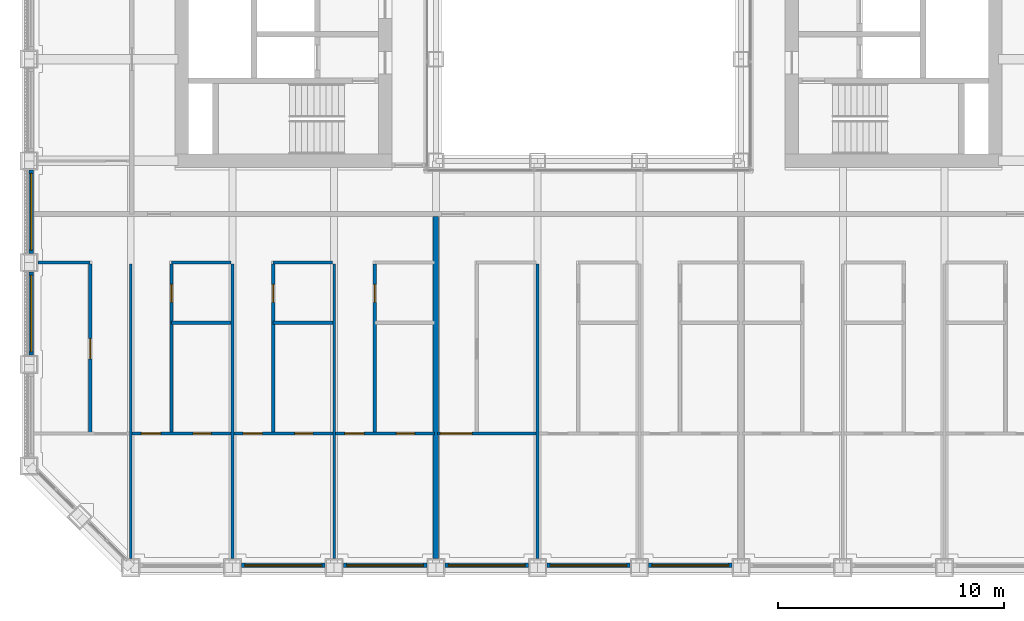
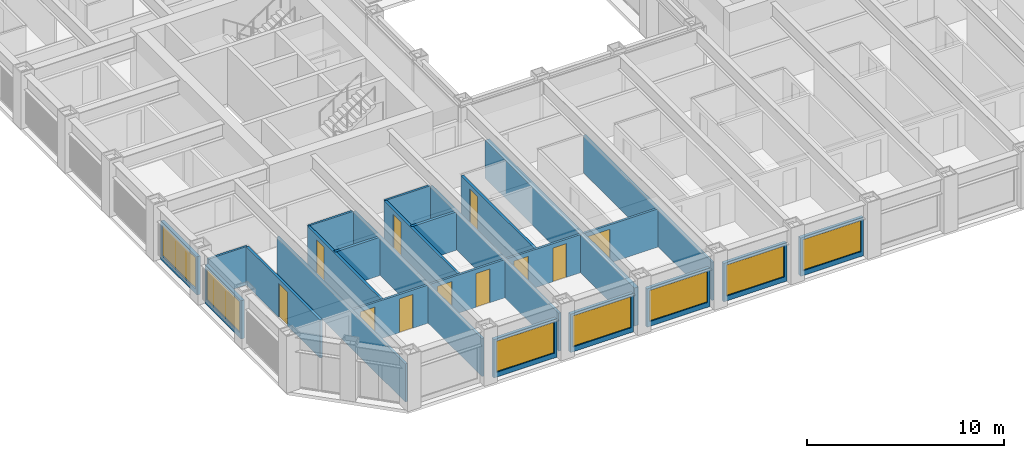
# One storey, part 9 of 21: 25 walls, 11 doors, 7 windows, 18 openings.
"""IFC4 building model written with IfcOpenShell, lengths in metres."""

from ifc_helpers import new_model, si_unit, direction, frame, frame_2d, origin, place, context, subcontext, project, spatial, rectangle, extrude, material, layer, layer_set, type_object, element, fill, save


model = new_model("IFC4")

# Units and contexts
model_context = context("Model", 3, precision=1e-05, world=origin(), true_north=direction((0.0, 1.0)))
body_context = subcontext(model_context, "Body", "Model", "MODEL_VIEW")
ifc_project = project(units=[si_unit("LENGTHUNIT", "METRE"), si_unit("AREAUNIT", "SQUARE_METRE"), si_unit("VOLUMEUNIT", "CUBIC_METRE"), si_unit("PLANEANGLEUNIT", "RADIAN"), si_unit("MASSUNIT", "GRAM", prefix="KILO")], contexts=[model_context])

# Site, building, storey
site_placement = place(None, origin())
site = spatial("IfcSite", under=ifc_project, at=site_placement, CompositionType="ELEMENT")
building_placement = place(site_placement, origin())
building = spatial("IfcBuilding", under=site, at=building_placement, Name="Msasa Ring Tower", CompositionType="ELEMENT")
storey_placement = place(building_placement, frame((0.0, 0.0, 89.5)))
storey = spatial("IfcBuildingStorey", under=building, at=storey_placement, Name="L23", CompositionType="ELEMENT", Elevation=89.5)

# Wall, opening, window
ifc_material_1 = material(Name="Terracotta rainscreen on blockwork", Category="masonry")
ifc_layer_1 = layer(ifc_material_1, 0.199951171875)
ifc_layer_set_1 = layer_set([ifc_layer_1], Name="FW1 TERRACOTTA-LINED INFILL BAY WALL 200")
wall_type_1 = type_object("IfcWallType", Name="FW1 TERRACOTTA-LINED INFILL BAY WALL 200", PredefinedType="SOLIDWALL", material=ifc_layer_set_1)
wall_1_placement = place(storey_placement, frame((-15.344970703125, -24.64990234375, 0.0), z_axis=(0.0, 0.0, 1.0), x_axis=(1.0, 0.0, 0.0)))
wall_1 = element("IfcWall", 1, at=wall_1_placement, inside=storey, type_object=wall_type_1, Name="Infill bay wall S L23 01", PredefinedType="SOLIDWALL", context=body_context, shape_type="SweptSolid", body=[
    extrude(rectangle(XDim=3.68994140625, YDim=0.199951171875, at=frame_2d((1.844970703125, 0.0))), origin(), (0.0, 0.0, 1.0), 2.37890625),
])
opening_1_placement = place(wall_1_placement, frame((0.14501953125, 0.0, 0.300048828125)))
opening_1 = element("IfcOpeningElement", 2, at=opening_1_placement, cuts=wall_1, Name="Opening WN1", PredefinedType="OPENING", context=body_context, shape_type="SweptSolid", body=[
    extrude(rectangle(XDim=3.39990234375, YDim=1.928955078125, at=frame_2d((1.699951171875, 0.96435546875))), frame((0.0, 0.10986328125, 0.0), z_axis=(0.0, -1.0, 0.0), x_axis=(1.0, 0.0, 0.0)), (0.0, 0.0, 1.0), 0.219970703125),
])
ifc_material_2 = material(Name="Aluminium frame with clear glass", Category="aluminium")
window_type = type_object("IfcWindowType", Name="WN1 RESIDENCE WINDOW 3400x1929", PartitioningType="SINGLE_PANEL", PredefinedType="WINDOW", material=ifc_material_2)
window_1_placement = place(opening_1_placement, origin())
window_1 = element("IfcWindow", 3, at=window_1_placement, inside=storey, type_object=window_type, Name="Window S L23 01", OverallHeight=1.928955078125, OverallWidth=3.39990234375, PartitioningType="SINGLE_PANEL", PredefinedType="WINDOW", context=body_context, shape_type="SweptSolid", body=[
    extrude(rectangle(XDim=3.39990234375, YDim=1.928955078125, at=frame_2d((1.699951171875, 0.96435546875))), frame((0.0, 0.030029296875, 0.0), z_axis=(0.0, -1.0, 0.0), x_axis=(1.0, 0.0, 0.0)), (0.0, 0.0, 1.0), 0.06005859375),
])
fill(opening_1, window_1)

wall_2_placement = place(storey_placement, frame((-10.844970703125, -24.64990234375, 0.0), z_axis=(0.0, 0.0, 1.0), x_axis=(1.0, 0.0, 0.0)))
wall_2 = element("IfcWall", 4, at=wall_2_placement, inside=storey, type_object=wall_type_1, Name="Infill bay wall S L23 02", PredefinedType="SOLIDWALL", context=body_context, shape_type="SweptSolid", body=[
    extrude(rectangle(XDim=3.68994140625, YDim=0.199951171875, at=frame_2d((1.844970703125, 0.0))), origin(), (0.0, 0.0, 1.0), 2.37890625),
])
opening_2_placement = place(wall_2_placement, frame((0.14501953125, 0.0, 0.300048828125)))
opening_2 = element("IfcOpeningElement", 5, at=opening_2_placement, cuts=wall_2, Name="Opening WN1", PredefinedType="OPENING", context=body_context, shape_type="SweptSolid", body=[
    extrude(rectangle(XDim=3.39990234375, YDim=1.928955078125, at=frame_2d((1.699951171875, 0.96435546875))), frame((0.0, 0.10986328125, 0.0), z_axis=(0.0, -1.0, 0.0), x_axis=(1.0, 0.0, 0.0)), (0.0, 0.0, 1.0), 0.219970703125),
])
window_2_placement = place(opening_2_placement, origin())
window_2 = element("IfcWindow", 6, at=window_2_placement, inside=storey, type_object=window_type, Name="Window S L23 02", OverallHeight=1.928955078125, OverallWidth=3.39990234375, PartitioningType="SINGLE_PANEL", PredefinedType="WINDOW", context=body_context, shape_type="SweptSolid", body=[
    extrude(rectangle(XDim=3.39990234375, YDim=1.928955078125, at=frame_2d((1.699951171875, 0.96435546875))), frame((0.0, 0.030029296875, 0.0), z_axis=(0.0, -1.0, 0.0), x_axis=(1.0, 0.0, 0.0)), (0.0, 0.0, 1.0), 0.06005859375),
])
fill(opening_2, window_2)

wall_3_placement = place(storey_placement, frame((-6.344970703125, -24.64990234375, 0.0), z_axis=(0.0, 0.0, 1.0), x_axis=(1.0, 0.0, 0.0)))
wall_3 = element("IfcWall", 7, at=wall_3_placement, inside=storey, type_object=wall_type_1, Name="Infill bay wall S L23 03", PredefinedType="SOLIDWALL", context=body_context, shape_type="SweptSolid", body=[
    extrude(rectangle(XDim=3.68994140625, YDim=0.199951171875, at=frame_2d((1.844970703125, 0.0))), origin(), (0.0, 0.0, 1.0), 2.37890625),
])
opening_3_placement = place(wall_3_placement, frame((0.14501953125, 0.0, 0.300048828125)))
opening_3 = element("IfcOpeningElement", 8, at=opening_3_placement, cuts=wall_3, Name="Opening WN1", PredefinedType="OPENING", context=body_context, shape_type="SweptSolid", body=[
    extrude(rectangle(XDim=3.39990234375, YDim=1.928955078125, at=frame_2d((1.699951171875, 0.96435546875))), frame((0.0, 0.10986328125, 0.0), z_axis=(0.0, -1.0, 0.0), x_axis=(1.0, 0.0, 0.0)), (0.0, 0.0, 1.0), 0.219970703125),
])
window_3_placement = place(opening_3_placement, origin())
window_3 = element("IfcWindow", 9, at=window_3_placement, inside=storey, type_object=window_type, Name="Window S L23 03", OverallHeight=1.928955078125, OverallWidth=3.39990234375, PartitioningType="SINGLE_PANEL", PredefinedType="WINDOW", context=body_context, shape_type="SweptSolid", body=[
    extrude(rectangle(XDim=3.39990234375, YDim=1.928955078125, at=frame_2d((1.699951171875, 0.96435546875))), frame((0.0, 0.030029296875, 0.0), z_axis=(0.0, -1.0, 0.0), x_axis=(1.0, 0.0, 0.0)), (0.0, 0.0, 1.0), 0.06005859375),
])
fill(opening_3, window_3)

wall_4_placement = place(storey_placement, frame((-1.844970703125, -24.64990234375, 0.0), z_axis=(0.0, 0.0, 1.0), x_axis=(1.0, 0.0, 0.0)))
wall_4 = element("IfcWall", 10, at=wall_4_placement, inside=storey, type_object=wall_type_1, Name="Infill bay wall S L23 04", PredefinedType="SOLIDWALL", context=body_context, shape_type="SweptSolid", body=[
    extrude(rectangle(XDim=3.68994140625, YDim=0.199951171875, at=frame_2d((1.844970703125, 0.0))), origin(), (0.0, 0.0, 1.0), 2.37890625),
])
opening_4_placement = place(wall_4_placement, frame((0.14501953125, 0.0, 0.300048828125)))
opening_4 = element("IfcOpeningElement", 11, at=opening_4_placement, cuts=wall_4, Name="Opening WN1", PredefinedType="OPENING", context=body_context, shape_type="SweptSolid", body=[
    extrude(rectangle(XDim=3.39990234375, YDim=1.928955078125, at=frame_2d((1.699951171875, 0.96435546875))), frame((0.0, 0.10986328125, 0.0), z_axis=(0.0, -1.0, 0.0), x_axis=(1.0, 0.0, 0.0)), (0.0, 0.0, 1.0), 0.219970703125),
])
window_4_placement = place(opening_4_placement, origin())
window_4 = element("IfcWindow", 12, at=window_4_placement, inside=storey, type_object=window_type, Name="Window S L23 04", OverallHeight=1.928955078125, OverallWidth=3.39990234375, PartitioningType="SINGLE_PANEL", PredefinedType="WINDOW", context=body_context, shape_type="SweptSolid", body=[
    extrude(rectangle(XDim=3.39990234375, YDim=1.928955078125, at=frame_2d((1.699951171875, 0.96435546875))), frame((0.0, 0.030029296875, 0.0), z_axis=(0.0, -1.0, 0.0), x_axis=(1.0, 0.0, 0.0)), (0.0, 0.0, 1.0), 0.06005859375),
])
fill(opening_4, window_4)

wall_5_placement = place(storey_placement, frame((2.655029296875, -24.64990234375, 0.0), z_axis=(0.0, 0.0, 1.0), x_axis=(1.0, 0.0, 0.0)))
wall_5 = element("IfcWall", 13, at=wall_5_placement, inside=storey, type_object=wall_type_1, Name="Infill bay wall S L23 05", PredefinedType="SOLIDWALL", context=body_context, shape_type="SweptSolid", body=[
    extrude(rectangle(XDim=3.68994140625, YDim=0.199951171875, at=frame_2d((1.844970703125, 0.0))), origin(), (0.0, 0.0, 1.0), 2.37890625),
])
opening_5_placement = place(wall_5_placement, frame((0.14501953125, 0.0, 0.300048828125)))
opening_5 = element("IfcOpeningElement", 14, at=opening_5_placement, cuts=wall_5, Name="Opening WN1", PredefinedType="OPENING", context=body_context, shape_type="SweptSolid", body=[
    extrude(rectangle(XDim=3.39990234375, YDim=1.928955078125, at=frame_2d((1.699951171875, 0.96435546875))), frame((0.0, 0.10986328125, 0.0), z_axis=(0.0, -1.0, 0.0), x_axis=(1.0, 0.0, 0.0)), (0.0, 0.0, 1.0), 0.219970703125),
])
window_5_placement = place(opening_5_placement, origin())
window_5 = element("IfcWindow", 15, at=window_5_placement, inside=storey, type_object=window_type, Name="Window S L23 05", OverallHeight=1.928955078125, OverallWidth=3.39990234375, PartitioningType="SINGLE_PANEL", PredefinedType="WINDOW", context=body_context, shape_type="SweptSolid", body=[
    extrude(rectangle(XDim=3.39990234375, YDim=1.928955078125, at=frame_2d((1.699951171875, 0.96435546875))), frame((0.0, 0.030029296875, 0.0), z_axis=(0.0, -1.0, 0.0), x_axis=(1.0, 0.0, 0.0)), (0.0, 0.0, 1.0), 0.06005859375),
])
fill(opening_5, window_5)

wall_6_placement = place(storey_placement, frame((-24.64990234375, -15.344970703125, 0.0), z_axis=(0.0, 0.0, 1.0), x_axis=(0.0, 1.0, 0.0)))
wall_6 = element("IfcWall", 16, at=wall_6_placement, inside=storey, type_object=wall_type_1, Name="Infill bay wall W L23 34", PredefinedType="SOLIDWALL", context=body_context, shape_type="SweptSolid", body=[
    extrude(rectangle(XDim=3.68994140625, YDim=0.199951171875, at=frame_2d((1.844970703125, 0.0))), origin(), (0.0, 0.0, 1.0), 2.37890625),
])
opening_6_placement = place(wall_6_placement, frame((0.14501953125, 0.0, 0.300048828125)))
opening_6 = element("IfcOpeningElement", 17, at=opening_6_placement, cuts=wall_6, Name="Opening WN1", PredefinedType="OPENING", context=body_context, shape_type="SweptSolid", body=[
    extrude(rectangle(XDim=3.39990234375, YDim=1.928955078125, at=frame_2d((1.699951171875, 0.96435546875))), frame((0.0, 0.10986328125, 0.0), z_axis=(0.0, -1.0, 0.0), x_axis=(1.0, 0.0, 0.0)), (0.0, 0.0, 1.0), 0.219970703125),
])
window_6_placement = place(opening_6_placement, origin())
window_6 = element("IfcWindow", 18, at=window_6_placement, inside=storey, type_object=window_type, Name="Window W L23 34", OverallHeight=1.928955078125, OverallWidth=3.39990234375, PartitioningType="SINGLE_PANEL", PredefinedType="WINDOW", context=body_context, shape_type="SweptSolid", body=[
    extrude(rectangle(XDim=3.39990234375, YDim=1.928955078125, at=frame_2d((1.699951171875, 0.96435546875))), frame((0.0, 0.030029296875, 0.0), z_axis=(0.0, -1.0, 0.0), x_axis=(1.0, 0.0, 0.0)), (0.0, 0.0, 1.0), 0.06005859375),
])
fill(opening_6, window_6)

wall_7_placement = place(storey_placement, frame((-24.64990234375, -10.844970703125, 0.0), z_axis=(0.0, 0.0, 1.0), x_axis=(0.0, 1.0, 0.0)))
wall_7 = element("IfcWall", 19, at=wall_7_placement, inside=storey, type_object=wall_type_1, Name="Infill bay wall W L23 35", PredefinedType="SOLIDWALL", context=body_context, shape_type="SweptSolid", body=[
    extrude(rectangle(XDim=3.68994140625, YDim=0.199951171875, at=frame_2d((1.844970703125, 0.0))), origin(), (0.0, 0.0, 1.0), 2.37890625),
])
opening_7_placement = place(wall_7_placement, frame((0.14501953125, 0.0, 0.300048828125)))
opening_7 = element("IfcOpeningElement", 20, at=opening_7_placement, cuts=wall_7, Name="Opening WN1", PredefinedType="OPENING", context=body_context, shape_type="SweptSolid", body=[
    extrude(rectangle(XDim=3.39990234375, YDim=1.928955078125, at=frame_2d((1.699951171875, 0.96435546875))), frame((0.0, 0.10986328125, 0.0), z_axis=(0.0, -1.0, 0.0), x_axis=(1.0, 0.0, 0.0)), (0.0, 0.0, 1.0), 0.219970703125),
])
window_7_placement = place(opening_7_placement, origin())
window_7 = element("IfcWindow", 21, at=window_7_placement, inside=storey, type_object=window_type, Name="Window W L23 35", OverallHeight=1.928955078125, OverallWidth=3.39990234375, PartitioningType="SINGLE_PANEL", PredefinedType="WINDOW", context=body_context, shape_type="SweptSolid", body=[
    extrude(rectangle(XDim=3.39990234375, YDim=1.928955078125, at=frame_2d((1.699951171875, 0.96435546875))), frame((0.0, 0.030029296875, 0.0), z_axis=(0.0, -1.0, 0.0), x_axis=(1.0, 0.0, 0.0)), (0.0, 0.0, 1.0), 0.06005859375),
])
fill(opening_7, window_7)

# Wall
ifc_material_3 = material(Name="Dense concrete blockwork, plastered both faces", Category="masonry")
ifc_layer_2 = layer(ifc_material_3, 0.25)
ifc_layer_set_2 = layer_set([ifc_layer_2], Name="PT3 APARTMENT SEPARATING WALL 250")
wall_type_2 = type_object("IfcWallType", Name="PT3 APARTMENT SEPARATING WALL 250", PredefinedType="PARTITIONING", material=ifc_layer_set_2)
wall_8_placement = place(storey_placement, frame((-6.75, -24.35009765625, 0.0), z_axis=(0.0, 0.0, 1.0), x_axis=(0.0, 1.0, 0.0)))
element("IfcWall", 22, at=wall_8_placement, inside=storey, type_object=wall_type_2, Name="Party wall L23-PWS-6.75", PredefinedType="PARTITIONING", context=body_context, shape_type="SweptSolid", body=[
    extrude(rectangle(XDim=15.150146484375, YDim=0.25, at=frame_2d((7.5751953125, 0.0))), origin(), (0.0, 0.0, 1.0), 2.373291015625),
])

# Wall, opening, door
ifc_material_4 = material(Name="Moisture-resistant board on steel studs with a concealed cistern and pipe void, tiled", Category="steel")
ifc_layer_3 = layer(ifc_material_4, 0.14990234375)
ifc_layer_set_3 = layer_set([ifc_layer_3], Name="PT4 BATHROOM WET WALL 150")
wall_type_3 = type_object("IfcWallType", Name="PT4 BATHROOM WET WALL 150", PredefinedType="PARTITIONING", material=ifc_layer_set_3)
wall_9_placement = place(storey_placement, frame((-22.050048828125, -18.8125, 0.0), z_axis=(0.0, 0.0, 1.0), x_axis=(0.0, 1.0, 0.0)))
wall_9 = element("IfcWall", 23, at=wall_9_placement, inside=storey, type_object=wall_type_3, Name="Partition L23-US00SX0", PredefinedType="PARTITIONING", context=body_context, shape_type="SweptSolid", body=[
    extrude(rectangle(XDim=7.5, YDim=0.14990234375, at=frame_2d((3.75, 0.0))), origin(), (0.0, 0.0, 1.0), 2.373291015625),
])
opening_8_placement = place(wall_9_placement, frame((3.300048828125, 0.0, 0.0)))
opening_8 = element("IfcOpeningElement", 24, at=opening_8_placement, cuts=wall_9, Name="Opening RG-061", PredefinedType="OPENING", context=body_context, shape_type="SweptSolid", body=[
    extrude(rectangle(XDim=0.89990234375, YDim=2.10009765625, at=frame_2d((0.449951171875, 1.050048828125))), frame((0.0, 0.0849609375, 0.0), z_axis=(0.0, -1.0, 0.0), x_axis=(1.0, 0.0, 0.0)), (0.0, 0.0, 1.0), 0.169921875),
])
ifc_material_5 = material(Name="Timber door leaf in a steel frame", Category="steel")
door_type_1 = type_object("IfcDoorType", Name="D22 INTERNAL HALL DOOR 900x2100", OperationType="SINGLE_SWING_LEFT", PredefinedType="DOOR", material=ifc_material_5)
door_1_placement = place(opening_8_placement, origin())
door_1 = element("IfcDoor", 25, at=door_1_placement, inside=storey, type_object=door_type_1, Name="Door L23-US00K", OperationType="SINGLE_SWING_LEFT", OverallHeight=2.10009765625, OverallWidth=0.89990234375, PredefinedType="DOOR", context=body_context, shape_type="SweptSolid", body=[
    extrude(rectangle(XDim=0.89990234375, YDim=2.10009765625, at=frame_2d((0.449951171875, 1.050048828125))), frame((0.0, 0.02490234375, 0.0), z_axis=(0.0, -1.0, 0.0), x_axis=(1.0, 0.0, 0.0)), (0.0, 0.0, 1.0), 0.050048828125),
])
fill(opening_8, door_1)

wall_10_placement = place(storey_placement, frame((-18.449951171875, -18.8125, 0.0), z_axis=(0.0, 0.0, 1.0), x_axis=(0.0, 1.0, 0.0)))
wall_10 = element("IfcWall", 26, at=wall_10_placement, inside=storey, type_object=wall_type_3, Name="Partition L23-US00SX1", PredefinedType="PARTITIONING", context=body_context, shape_type="SweptSolid", body=[
    extrude(rectangle(XDim=7.5, YDim=0.14990234375, at=frame_2d((3.75, 0.0))), origin(), (0.0, 0.0, 1.0), 2.373291015625),
])
opening_9_placement = place(wall_10_placement, frame((5.800048828125, 0.0, 0.0)))
opening_9 = element("IfcOpeningElement", 27, at=opening_9_placement, cuts=wall_10, Name="Opening RG-053", PredefinedType="OPENING", context=body_context, shape_type="SweptSolid", body=[
    extrude(rectangle(XDim=0.800048828125, YDim=2.10009765625, at=frame_2d((0.39990234375, 1.050048828125))), frame((0.0, 0.0849609375, 0.0), z_axis=(0.0, -1.0, 0.0), x_axis=(1.0, 0.0, 0.0)), (0.0, 0.0, 1.0), 0.169921875),
])
ifc_material_6 = material(Name="Timber door leaf in a steel frame", Category="steel")
door_type_2 = type_object("IfcDoorType", Name="D21 POCKET SLIDING BATHROOM DOOR 800x2100", OperationType="SINGLE_SWING_LEFT", PredefinedType="DOOR", material=ifc_material_6)
door_2_placement = place(opening_9_placement, origin())
door_2 = element("IfcDoor", 28, at=door_2_placement, inside=storey, type_object=door_type_2, Name="Door L23-US00B1", OperationType="SINGLE_SWING_RIGHT", OverallHeight=2.10009765625, OverallWidth=0.800048828125, PredefinedType="DOOR", context=body_context, shape_type="SweptSolid", body=[
    extrude(rectangle(XDim=0.800048828125, YDim=2.10009765625, at=frame_2d((0.39990234375, 1.050048828125))), frame((0.0, 0.02490234375, 0.0), z_axis=(0.0, -1.0, 0.0), x_axis=(1.0, 0.0, 0.0)), (0.0, 0.0, 1.0), 0.050048828125),
])
fill(opening_9, door_2)

# Wall
wall_11_placement = place(storey_placement, frame((-18.449951171875, -13.91259765625, 0.0), z_axis=(0.0, 0.0, 1.0), x_axis=(1.0, 0.0, 0.0)))
element("IfcWall", 29, at=wall_11_placement, inside=storey, type_object=wall_type_3, Name="Partition L23-US00SB1", PredefinedType="PARTITIONING", context=body_context, shape_type="SweptSolid", body=[
    extrude(rectangle(XDim=2.637451171875, YDim=0.14990234375, at=frame_2d((1.31884765625, 0.0))), origin(), (0.0, 0.0, 1.0), 2.373291015625),
])

# Wall, opening, door
wall_12_placement = place(storey_placement, frame((-13.949951171875, -18.8125, 0.0), z_axis=(0.0, 0.0, 1.0), x_axis=(0.0, 1.0, 0.0)))
wall_12 = element("IfcWall", 30, at=wall_12_placement, inside=storey, type_object=wall_type_3, Name="Partition L23-US00SX2", PredefinedType="PARTITIONING", context=body_context, shape_type="SweptSolid", body=[
    extrude(rectangle(XDim=7.5, YDim=0.14990234375, at=frame_2d((3.75, 0.0))), origin(), (0.0, 0.0, 1.0), 2.373291015625),
])
opening_10_placement = place(wall_12_placement, frame((5.800048828125, 0.0, 0.0)))
opening_10 = element("IfcOpeningElement", 31, at=opening_10_placement, cuts=wall_12, Name="Opening RG-054", PredefinedType="OPENING", context=body_context, shape_type="SweptSolid", body=[
    extrude(rectangle(XDim=0.800048828125, YDim=2.10009765625, at=frame_2d((0.39990234375, 1.050048828125))), frame((0.0, 0.0849609375, 0.0), z_axis=(0.0, -1.0, 0.0), x_axis=(1.0, 0.0, 0.0)), (0.0, 0.0, 1.0), 0.169921875),
])
door_3_placement = place(opening_10_placement, origin())
door_3 = element("IfcDoor", 32, at=door_3_placement, inside=storey, type_object=door_type_2, Name="Door L23-US00B2", OperationType="SINGLE_SWING_RIGHT", OverallHeight=2.10009765625, OverallWidth=0.800048828125, PredefinedType="DOOR", context=body_context, shape_type="SweptSolid", body=[
    extrude(rectangle(XDim=0.800048828125, YDim=2.10009765625, at=frame_2d((0.39990234375, 1.050048828125))), frame((0.0, 0.02490234375, 0.0), z_axis=(0.0, -1.0, 0.0), x_axis=(1.0, 0.0, 0.0)), (0.0, 0.0, 1.0), 0.050048828125),
])
fill(opening_10, door_3)

# Wall
wall_13_placement = place(storey_placement, frame((-13.949951171875, -13.91259765625, 0.0), z_axis=(0.0, 0.0, 1.0), x_axis=(1.0, 0.0, 0.0)))
element("IfcWall", 33, at=wall_13_placement, inside=storey, type_object=wall_type_3, Name="Partition L23-US00SB2", PredefinedType="PARTITIONING", context=body_context, shape_type="SweptSolid", body=[
    extrude(rectangle(XDim=2.637451171875, YDim=0.14990234375, at=frame_2d((1.31884765625, 0.0))), origin(), (0.0, 0.0, 1.0), 2.373291015625),
])

# Wall, opening, door
wall_14_placement = place(storey_placement, frame((-9.449951171875, -18.8125, 0.0), z_axis=(0.0, 0.0, 1.0), x_axis=(0.0, 1.0, 0.0)))
wall_14 = element("IfcWall", 34, at=wall_14_placement, inside=storey, type_object=wall_type_3, Name="Partition L23-US00SX3", PredefinedType="PARTITIONING", context=body_context, shape_type="SweptSolid", body=[
    extrude(rectangle(XDim=7.5, YDim=0.14990234375, at=frame_2d((3.75, 0.0))), origin(), (0.0, 0.0, 1.0), 2.373291015625),
])
opening_11_placement = place(wall_14_placement, frame((5.800048828125, 0.0, 0.0)))
opening_11 = element("IfcOpeningElement", 35, at=opening_11_placement, cuts=wall_14, Name="Opening RG-055", PredefinedType="OPENING", context=body_context, shape_type="SweptSolid", body=[
    extrude(rectangle(XDim=0.800048828125, YDim=2.10009765625, at=frame_2d((0.39990234375, 1.050048828125))), frame((0.0, 0.0849609375, 0.0), z_axis=(0.0, -1.0, 0.0), x_axis=(1.0, 0.0, 0.0)), (0.0, 0.0, 1.0), 0.169921875),
])
door_4_placement = place(opening_11_placement, origin())
door_4 = element("IfcDoor", 36, at=door_4_placement, inside=storey, type_object=door_type_2, Name="Door L23-US00B3", OperationType="SINGLE_SWING_RIGHT", OverallHeight=2.10009765625, OverallWidth=0.800048828125, PredefinedType="DOOR", context=body_context, shape_type="SweptSolid", body=[
    extrude(rectangle(XDim=0.800048828125, YDim=2.10009765625, at=frame_2d((0.39990234375, 1.050048828125))), frame((0.0, 0.02490234375, 0.0), z_axis=(0.0, -1.0, 0.0), x_axis=(1.0, 0.0, 0.0)), (0.0, 0.0, 1.0), 0.050048828125),
])
fill(opening_11, door_4)

# Walls
ifc_material_7 = material(Name="Two layers of acoustic board each face on steel studs, mineral wool", Category="steel")
ifc_layer_4 = layer(ifc_material_7, 0.125)
ifc_layer_set_4 = layer_set([ifc_layer_4], Name="PT6 ACOUSTIC DOUBLE-BOARD PARTITION 125")
wall_type_4 = type_object("IfcWallType", Name="PT6 ACOUSTIC DOUBLE-BOARD PARTITION 125", PredefinedType="PARTITIONING", material=ifc_layer_set_4)
wall_15_placement = place(storey_placement, frame((-24.35009765625, -11.25, 0.0), z_axis=(0.0, 0.0, 1.0), x_axis=(1.0, 0.0, 0.0)))
element("IfcWall", 37, at=wall_15_placement, inside=storey, type_object=wall_type_4, Name="Partition L23-US00HY0", PredefinedType="PARTITIONING", context=body_context, shape_type="SweptSolid", body=[
    extrude(rectangle(XDim=2.300048828125, YDim=0.125, at=frame_2d((1.14990234375, 0.0))), origin(), (0.0, 0.0, 1.0), 2.373291015625),
])
wall_16_placement = place(storey_placement, frame((-20.25, -24.35009765625, 0.0), z_axis=(0.0, 0.0, 1.0), x_axis=(0.0, 1.0, 0.0)))
element("IfcWall", 38, at=wall_16_placement, inside=storey, type_object=wall_type_4, Name="Partition L23-US00P1", PredefinedType="PARTITIONING", context=body_context, shape_type="SweptSolid", body=[
    extrude(rectangle(XDim=13.03759765625, YDim=0.125, at=frame_2d((6.518798828125, 0.0))), origin(), (0.0, 0.0, 1.0), 2.373291015625),
])
wall_17_placement = place(storey_placement, frame((-18.449951171875, -11.25, 0.0), z_axis=(0.0, 0.0, 1.0), x_axis=(1.0, 0.0, 0.0)))
element("IfcWall", 39, at=wall_17_placement, inside=storey, type_object=wall_type_4, Name="Partition L23-US00HY1", PredefinedType="PARTITIONING", context=body_context, shape_type="SweptSolid", body=[
    extrude(rectangle(XDim=2.632568359375, YDim=0.125, at=frame_2d((1.31640625, 0.0))), origin(), (0.0, 0.0, 1.0), 2.373291015625),
])

# Wall, openings, doors
wall_18_placement = place(storey_placement, frame((-20.1875, -18.8125, 0.0), z_axis=(0.0, 0.0, 1.0), x_axis=(1.0, 0.0, 0.0)))
wall_18 = element("IfcWall", 40, at=wall_18_placement, inside=storey, type_object=wall_type_4, Name="Partition L23-US00SY1", PredefinedType="PARTITIONING", context=body_context, shape_type="SweptSolid", body=[
    extrude(rectangle(XDim=4.375, YDim=0.125, at=frame_2d((2.1875, 0.0))), origin(), (0.0, 0.0, 1.0), 2.373291015625),
])
opening_12_placement = place(wall_18_placement, frame((0.41259765625, 0.0, 0.0)))
opening_12 = element("IfcOpeningElement", 41, at=opening_12_placement, cuts=wall_18, Name="Opening RG-065", PredefinedType="OPENING", context=body_context, shape_type="SweptSolid", body=[
    extrude(rectangle(XDim=0.85009765625, YDim=2.10009765625, at=frame_2d((0.425048828125, 1.050048828125))), frame((0.0, 0.072509765625, 0.0), z_axis=(0.0, -1.0, 0.0), x_axis=(1.0, 0.0, 0.0)), (0.0, 0.0, 1.0), 0.14501953125),
])
opening_13_placement = place(wall_18_placement, frame((2.693603515625, 0.0, 0.0)))
opening_13 = element("IfcOpeningElement", 42, at=opening_13_placement, cuts=wall_18, Name="Opening RG-066", PredefinedType="OPENING", context=body_context, shape_type="SweptSolid", body=[
    extrude(rectangle(XDim=0.800048828125, YDim=2.10009765625, at=frame_2d((0.39990234375, 1.050048828125))), frame((0.0, 0.072509765625, 0.0), z_axis=(0.0, -1.0, 0.0), x_axis=(1.0, 0.0, 0.0)), (0.0, 0.0, 1.0), 0.14501953125),
])
ifc_material_8 = material(Name="Timber door leaf in a steel frame", Category="steel")
door_type_3 = type_object("IfcDoorType", Name="D14 BEDROOM DOOR 850x2100", OperationType="SINGLE_SWING_LEFT", PredefinedType="DOOR", material=ifc_material_8)
door_5_placement = place(opening_12_placement, origin())
door_5 = element("IfcDoor", 43, at=door_5_placement, inside=storey, type_object=door_type_3, Name="Door L23-US00R1", OperationType="SINGLE_SWING_LEFT", OverallHeight=2.10009765625, OverallWidth=0.85009765625, PredefinedType="DOOR", context=body_context, shape_type="SweptSolid", body=[
    extrude(rectangle(XDim=0.85009765625, YDim=2.10009765625, at=frame_2d((0.425048828125, 1.050048828125))), frame((0.0, 0.02490234375, 0.0), z_axis=(0.0, -1.0, 0.0), x_axis=(1.0, 0.0, 0.0)), (0.0, 0.0, 1.0), 0.050048828125),
])
fill(opening_12, door_5)
ifc_material_9 = material(Name="Timber door leaf in a steel frame", Category="steel")
door_type_4 = type_object("IfcDoorType", Name="D60 DRESSING ROOM DOOR 800x2100", OperationType="SINGLE_SWING_LEFT", PredefinedType="DOOR", material=ifc_material_9)
door_6_placement = place(opening_13_placement, origin())
door_6 = element("IfcDoor", 44, at=door_6_placement, inside=storey, type_object=door_type_4, Name="Door L23-US00W1", OperationType="SINGLE_SWING_RIGHT", OverallHeight=2.10009765625, OverallWidth=0.800048828125, PredefinedType="DOOR", context=body_context, shape_type="SweptSolid", body=[
    extrude(rectangle(XDim=0.800048828125, YDim=2.10009765625, at=frame_2d((0.39990234375, 1.050048828125))), frame((0.0, 0.02490234375, 0.0), z_axis=(0.0, -1.0, 0.0), x_axis=(1.0, 0.0, 0.0)), (0.0, 0.0, 1.0), 0.050048828125),
])
fill(opening_13, door_6)

# Walls
wall_19_placement = place(storey_placement, frame((-15.75, -24.35009765625, 0.0), z_axis=(0.0, 0.0, 1.0), x_axis=(0.0, 1.0, 0.0)))
element("IfcWall", 45, at=wall_19_placement, inside=storey, type_object=wall_type_4, Name="Partition L23-US00P2", PredefinedType="PARTITIONING", context=body_context, shape_type="SweptSolid", body=[
    extrude(rectangle(XDim=13.03759765625, YDim=0.125, at=frame_2d((6.518798828125, 0.0))), origin(), (0.0, 0.0, 1.0), 2.373291015625),
])
wall_20_placement = place(storey_placement, frame((-13.949951171875, -11.25, 0.0), z_axis=(0.0, 0.0, 1.0), x_axis=(1.0, 0.0, 0.0)))
element("IfcWall", 46, at=wall_20_placement, inside=storey, type_object=wall_type_4, Name="Partition L23-US00HY2", PredefinedType="PARTITIONING", context=body_context, shape_type="SweptSolid", body=[
    extrude(rectangle(XDim=2.632568359375, YDim=0.125, at=frame_2d((1.31640625, 0.0))), origin(), (0.0, 0.0, 1.0), 2.373291015625),
])

# Wall, openings, doors
wall_21_placement = place(storey_placement, frame((-15.6875, -18.8125, 0.0), z_axis=(0.0, 0.0, 1.0), x_axis=(1.0, 0.0, 0.0)))
wall_21 = element("IfcWall", 47, at=wall_21_placement, inside=storey, type_object=wall_type_4, Name="Partition L23-US00SY2", PredefinedType="PARTITIONING", context=body_context, shape_type="SweptSolid", body=[
    extrude(rectangle(XDim=4.375, YDim=0.125, at=frame_2d((2.1875, 0.0))), origin(), (0.0, 0.0, 1.0), 2.373291015625),
])
opening_14_placement = place(wall_21_placement, frame((0.41259765625, 0.0, 0.0)))
opening_14 = element("IfcOpeningElement", 48, at=opening_14_placement, cuts=wall_21, Name="Opening RG-067", PredefinedType="OPENING", context=body_context, shape_type="SweptSolid", body=[
    extrude(rectangle(XDim=0.85009765625, YDim=2.10009765625, at=frame_2d((0.425048828125, 1.050048828125))), frame((0.0, 0.072509765625, 0.0), z_axis=(0.0, -1.0, 0.0), x_axis=(1.0, 0.0, 0.0)), (0.0, 0.0, 1.0), 0.14501953125),
])
opening_15_placement = place(wall_21_placement, frame((2.693603515625, 0.0, 0.0)))
opening_15 = element("IfcOpeningElement", 49, at=opening_15_placement, cuts=wall_21, Name="Opening RG-068", PredefinedType="OPENING", context=body_context, shape_type="SweptSolid", body=[
    extrude(rectangle(XDim=0.800048828125, YDim=2.10009765625, at=frame_2d((0.39990234375, 1.050048828125))), frame((0.0, 0.072509765625, 0.0), z_axis=(0.0, -1.0, 0.0), x_axis=(1.0, 0.0, 0.0)), (0.0, 0.0, 1.0), 0.14501953125),
])
door_7_placement = place(opening_14_placement, origin())
door_7 = element("IfcDoor", 50, at=door_7_placement, inside=storey, type_object=door_type_3, Name="Door L23-US00R2", OperationType="SINGLE_SWING_LEFT", OverallHeight=2.10009765625, OverallWidth=0.85009765625, PredefinedType="DOOR", context=body_context, shape_type="SweptSolid", body=[
    extrude(rectangle(XDim=0.85009765625, YDim=2.10009765625, at=frame_2d((0.425048828125, 1.050048828125))), frame((0.0, 0.02490234375, 0.0), z_axis=(0.0, -1.0, 0.0), x_axis=(1.0, 0.0, 0.0)), (0.0, 0.0, 1.0), 0.050048828125),
])
fill(opening_14, door_7)
door_8_placement = place(opening_15_placement, origin())
door_8 = element("IfcDoor", 51, at=door_8_placement, inside=storey, type_object=door_type_4, Name="Door L23-US00W2", OperationType="SINGLE_SWING_RIGHT", OverallHeight=2.10009765625, OverallWidth=0.800048828125, PredefinedType="DOOR", context=body_context, shape_type="SweptSolid", body=[
    extrude(rectangle(XDim=0.800048828125, YDim=2.10009765625, at=frame_2d((0.39990234375, 1.050048828125))), frame((0.0, 0.02490234375, 0.0), z_axis=(0.0, -1.0, 0.0), x_axis=(1.0, 0.0, 0.0)), (0.0, 0.0, 1.0), 0.050048828125),
])
fill(opening_15, door_8)

# Wall
wall_22_placement = place(storey_placement, frame((-11.25, -24.35009765625, 0.0), z_axis=(0.0, 0.0, 1.0), x_axis=(0.0, 1.0, 0.0)))
element("IfcWall", 52, at=wall_22_placement, inside=storey, type_object=wall_type_4, Name="Partition L23-US00P3", PredefinedType="PARTITIONING", context=body_context, shape_type="SweptSolid", body=[
    extrude(rectangle(XDim=13.03759765625, YDim=0.125, at=frame_2d((6.518798828125, 0.0))), origin(), (0.0, 0.0, 1.0), 2.373291015625),
])

# Wall, openings, doors
wall_23_placement = place(storey_placement, frame((-11.1875, -18.8125, 0.0), z_axis=(0.0, 0.0, 1.0), x_axis=(1.0, 0.0, 0.0)))
wall_23 = element("IfcWall", 53, at=wall_23_placement, inside=storey, type_object=wall_type_4, Name="Partition L23-US00SY3", PredefinedType="PARTITIONING", context=body_context, shape_type="SweptSolid", body=[
    extrude(rectangle(XDim=4.3701171875, YDim=0.125, at=frame_2d((2.18505859375, 0.0))), origin(), (0.0, 0.0, 1.0), 2.373291015625),
])
opening_16_placement = place(wall_23_placement, frame((0.41259765625, 0.0, 0.0)))
opening_16 = element("IfcOpeningElement", 54, at=opening_16_placement, cuts=wall_23, Name="Opening RG-069", PredefinedType="OPENING", context=body_context, shape_type="SweptSolid", body=[
    extrude(rectangle(XDim=0.85009765625, YDim=2.10009765625, at=frame_2d((0.425048828125, 1.050048828125))), frame((0.0, 0.072509765625, 0.0), z_axis=(0.0, -1.0, 0.0), x_axis=(1.0, 0.0, 0.0)), (0.0, 0.0, 1.0), 0.14501953125),
])
opening_17_placement = place(wall_23_placement, frame((2.693603515625, 0.0, 0.0)))
opening_17 = element("IfcOpeningElement", 55, at=opening_17_placement, cuts=wall_23, Name="Opening RG-070", PredefinedType="OPENING", context=body_context, shape_type="SweptSolid", body=[
    extrude(rectangle(XDim=0.800048828125, YDim=2.10009765625, at=frame_2d((0.39990234375, 1.050048828125))), frame((0.0, 0.072509765625, 0.0), z_axis=(0.0, -1.0, 0.0), x_axis=(1.0, 0.0, 0.0)), (0.0, 0.0, 1.0), 0.14501953125),
])
door_9_placement = place(opening_16_placement, origin())
door_9 = element("IfcDoor", 56, at=door_9_placement, inside=storey, type_object=door_type_3, Name="Door L23-US00R3", OperationType="SINGLE_SWING_LEFT", OverallHeight=2.10009765625, OverallWidth=0.85009765625, PredefinedType="DOOR", context=body_context, shape_type="SweptSolid", body=[
    extrude(rectangle(XDim=0.85009765625, YDim=2.10009765625, at=frame_2d((0.425048828125, 1.050048828125))), frame((0.0, 0.02490234375, 0.0), z_axis=(0.0, -1.0, 0.0), x_axis=(1.0, 0.0, 0.0)), (0.0, 0.0, 1.0), 0.050048828125),
])
fill(opening_16, door_9)
door_10_placement = place(opening_17_placement, origin())
door_10 = element("IfcDoor", 57, at=door_10_placement, inside=storey, type_object=door_type_4, Name="Door L23-US00W3", OperationType="SINGLE_SWING_RIGHT", OverallHeight=2.10009765625, OverallWidth=0.800048828125, PredefinedType="DOOR", context=body_context, shape_type="SweptSolid", body=[
    extrude(rectangle(XDim=0.800048828125, YDim=2.10009765625, at=frame_2d((0.39990234375, 1.050048828125))), frame((0.0, 0.02490234375, 0.0), z_axis=(0.0, -1.0, 0.0), x_axis=(1.0, 0.0, 0.0)), (0.0, 0.0, 1.0), 0.050048828125),
])
fill(opening_17, door_10)

# Wall, opening, door
wall_24_placement = place(storey_placement, frame((-6.6826171875, -18.8125, 0.0), z_axis=(0.0, 0.0, 1.0), x_axis=(1.0, 0.0, 0.0)))
wall_24 = element("IfcWall", 58, at=wall_24_placement, inside=storey, type_object=wall_type_4, Name="Partition L23-US01SY0", PredefinedType="PARTITIONING", context=body_context, shape_type="SweptSolid", body=[
    extrude(rectangle(XDim=4.3701171875, YDim=0.125, at=frame_2d((2.18505859375, 0.0))), origin(), (0.0, 0.0, 1.0), 2.373291015625),
])
opening_18_placement = place(wall_24_placement, frame((0.132568359375, 0.0, 0.0)))
opening_18 = element("IfcOpeningElement", 59, at=opening_18_placement, cuts=wall_24, Name="Opening RG-071", PredefinedType="OPENING", context=body_context, shape_type="SweptSolid", body=[
    extrude(rectangle(XDim=1.39990234375, YDim=2.10009765625, at=frame_2d((0.699951171875, 1.050048828125))), frame((0.0, 0.072509765625, 0.0), z_axis=(0.0, -1.0, 0.0), x_axis=(1.0, 0.0, 0.0)), (0.0, 0.0, 1.0), 0.14501953125),
])
ifc_material_10 = material(Name="Timber door leaf in a steel frame", Category="steel")
door_type_5 = type_object("IfcDoorType", Name="D15 LIVING ROOM PAIR OF GLAZED DOORS 1400x2100", OperationType="SINGLE_SWING_LEFT", PredefinedType="DOOR", material=ifc_material_10)
door_11_placement = place(opening_18_placement, origin())
door_11 = element("IfcDoor", 60, at=door_11_placement, inside=storey, type_object=door_type_5, Name="Door L23-US01L", OperationType="SINGLE_SWING_LEFT", OverallHeight=2.10009765625, OverallWidth=1.39990234375, PredefinedType="DOOR", context=body_context, shape_type="SweptSolid", body=[
    extrude(rectangle(XDim=1.39990234375, YDim=2.10009765625, at=frame_2d((0.699951171875, 1.050048828125))), frame((0.0, 0.02490234375, 0.0), z_axis=(0.0, -1.0, 0.0), x_axis=(1.0, 0.0, 0.0)), (0.0, 0.0, 1.0), 0.050048828125),
])
fill(opening_18, door_11)

# Wall
wall_25_placement = place(storey_placement, frame((-2.25, -24.35009765625, 0.0), z_axis=(0.0, 0.0, 1.0), x_axis=(0.0, 1.0, 0.0)))
element("IfcWall", 61, at=wall_25_placement, inside=storey, type_object=wall_type_4, Name="Partition L23-US01P1", PredefinedType="PARTITIONING", context=body_context, shape_type="SweptSolid", body=[
    extrude(rectangle(XDim=13.03759765625, YDim=0.125, at=frame_2d((6.518798828125, 0.0))), origin(), (0.0, 0.0, 1.0), 2.373291015625),
])

save(model, "model.ifc")
